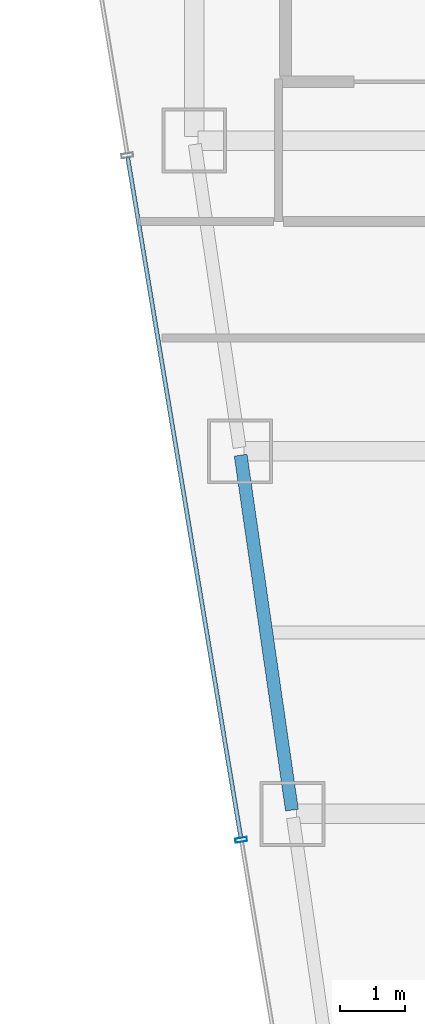
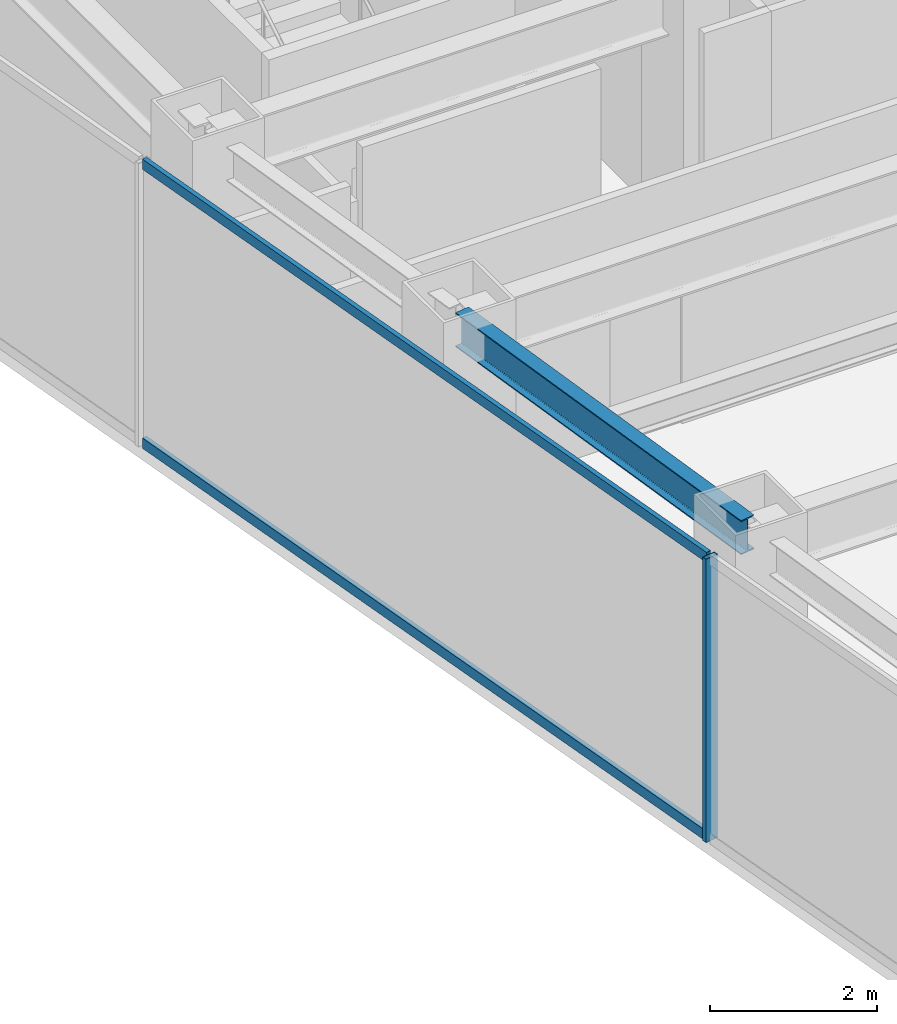
# One storey, part 9 of 37: 3 members, 1 beam, 1 element without a shape of its own.
"""IFC4 building model written with IfcOpenShell, lengths in metres."""

from ifc_helpers import new_model, si_unit, direction, frame, origin, origin_2d, place, context, subcontext, project, spatial, hollow_rectangle, i_section, extrude, material, material_profile, profile_set, type_object, element, aggregate, save


model = new_model("IFC4")

# Units and contexts
model_context = context("Model", 3, precision=1e-05, world=origin(), true_north=direction((0.0, 1.0)))
body_context = subcontext(model_context, "Body", "Model", "MODEL_VIEW")
ifc_project = project(units=[si_unit("LENGTHUNIT", "METRE"), si_unit("AREAUNIT", "SQUARE_METRE"), si_unit("VOLUMEUNIT", "CUBIC_METRE"), si_unit("PLANEANGLEUNIT", "RADIAN"), si_unit("MASSUNIT", "GRAM", prefix="KILO")], contexts=[model_context])

# Site, building, storey
site_placement = place(None, origin())
site = spatial("IfcSite", under=ifc_project, at=site_placement, CompositionType="ELEMENT")
building_placement = place(site_placement, origin())
building = spatial("IfcBuilding", under=site, at=building_placement, Name="Saevonmaru Cultural Tower", CompositionType="ELEMENT")
storey_placement = place(building_placement, frame((0.0, 0.0, 106.0)))
storey = spatial("IfcBuildingStorey", under=building, at=storey_placement, Name="L22", CompositionType="ELEMENT", Elevation=106.0)

# Beam
ifc_material_1 = material(Name="Steel SM355", Category="steel")
ifc_material_profile_1 = material_profile(ifc_material_1, i_section(OverallWidth=0.199951171875, OverallDepth=0.5, WebThickness=0.010009765625, FlangeThickness=0.01611328125, FilletRadius=0.02001953125, at=origin_2d()), Name="H-500x200x10x16")
ifc_profile_set_1 = profile_set([ifc_material_profile_1], Name="Steel SM355")
beam_type = type_object("IfcBeamType", Name="BM-SP-H500", PredefinedType="SPANDREL", material=ifc_profile_set_1)
beam_placement = place(storey_placement, frame((8.308349609375, 32.059326171875, 3.89990234375), z_axis=(-0.142964121327, 0.989727871697, 0.0), x_axis=(-0.989727871697, -0.142964121327, 0.0)))
element("IfcBeam", 1, at=beam_placement, inside=storey, type_object=beam_type, Name="L22 West Splayed Spandrel 4", PredefinedType="SPANDREL", context=body_context, shape_type="SweptSolid", body=[
    extrude(i_section(OverallWidth=0.199951171875, OverallDepth=0.5, WebThickness=0.010009765625, FlangeThickness=0.01611328125, FilletRadius=0.02001953125, at=origin_2d()), origin(), (0.0, 0.0, 1.0), 5.5380859375),
])

# Curtain wall, members
ifc_material_2 = material(Name="Satin Bronze Anodised Aluminium", Category="aluminium")
curtain_wall_type = type_object("IfcCurtainWallType", Name="CW-TYP-A", PredefinedType="NOTDEFINED", material=ifc_material_2)
curtain_wall_placement = place(storey_placement, origin())
curtain_wall = element("IfcCurtainWall", 2, at=curtain_wall_placement, inside=storey, type_object=curtain_wall_type, Name="L22 Unitised Curtain Wall E12", PredefinedType="NOTDEFINED")
ifc_material_profile_2 = material_profile(ifc_material_2, hollow_rectangle(XDim=0.06494140625, YDim=0.179931640625, WallThickness=0.00390625, at=origin_2d()), Name="ALU-MULL-180x65x4")
ifc_profile_set_2 = profile_set([ifc_material_profile_2], Name="Satin Bronze Anodised Aluminium")
member_type_1 = type_object("IfcMemberType", Name="ML-CW-180x65", PredefinedType="MULLION", material=ifc_profile_set_2)
member_1_placement = place(storey_placement, frame((7.5244140625, 31.60009765625, 0.0), z_axis=(0.0, 0.0, 1.0), x_axis=(0.163998702345, -0.986460554523, 0.0)))
member_1 = element("IfcMember", 3, at=member_1_placement, type_object=member_type_1, Name="CW-TW-L22-E12 mullion 3", PredefinedType="MULLION", context=body_context, shape_type="SweptSolid", body=[
    extrude(hollow_rectangle(XDim=0.06494140625, YDim=0.179931640625, WallThickness=0.00390625, at=origin_2d()), origin(), (0.0, 0.0, 1.0), 4.14990234375),
])
ifc_material_profile_3 = material_profile(ifc_material_2, hollow_rectangle(XDim=0.06494140625, YDim=0.14990234375, WallThickness=0.00390625, at=origin_2d()), Name="ALU-TRAN-150x65x4")
ifc_profile_set_3 = profile_set([ifc_material_profile_3], Name="Satin Bronze Anodised Aluminium")
member_type_2 = type_object("IfcMemberType", Name="TR-CW-150x65", PredefinedType="USERDEFINED", material=ifc_profile_set_3)
member_2_placement = place(storey_placement, frame((5.7724609375, 42.138427734375, 0.032470703125), z_axis=(0.163990079074, -0.9864619881, 0.0), x_axis=(0.9864619881, 0.163990079074, 0.0)))
member_2 = element("IfcMember", 4, at=member_2_placement, type_object=member_type_2, Name="CW-TW-L22-E12 transom 2.1", ObjectType="TRANSOM", PredefinedType="USERDEFINED", context=body_context, shape_type="SweptSolid", body=[
    extrude(hollow_rectangle(XDim=0.06494140625, YDim=0.14990234375, WallThickness=0.00390625, at=origin_2d()), origin(), (0.0, 0.0, 1.0), 10.650634765625),
])
member_3_placement = place(storey_placement, frame((5.7724609375, 42.138427734375, 4.117431640625), z_axis=(0.163990079074, -0.9864619881, 0.0), x_axis=(0.9864619881, 0.163990079074, 0.0)))
member_3 = element("IfcMember", 5, at=member_3_placement, type_object=member_type_2, Name="CW-TW-L22-E12 transom 2.2", ObjectType="TRANSOM", PredefinedType="USERDEFINED", context=body_context, shape_type="SweptSolid", body=[
    extrude(hollow_rectangle(XDim=0.06494140625, YDim=0.14990234375, WallThickness=0.00390625, at=origin_2d()), origin(), (0.0, 0.0, 1.0), 10.650634765625),
])
aggregate(curtain_wall, [member_1, member_2, member_3])

save(model, "model.ifc")
